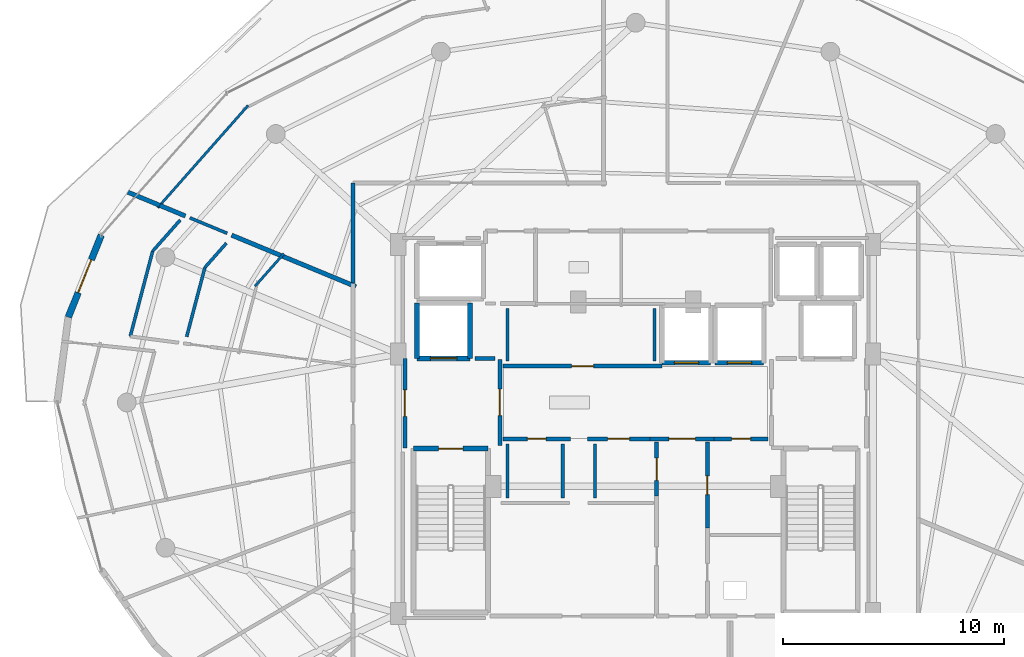
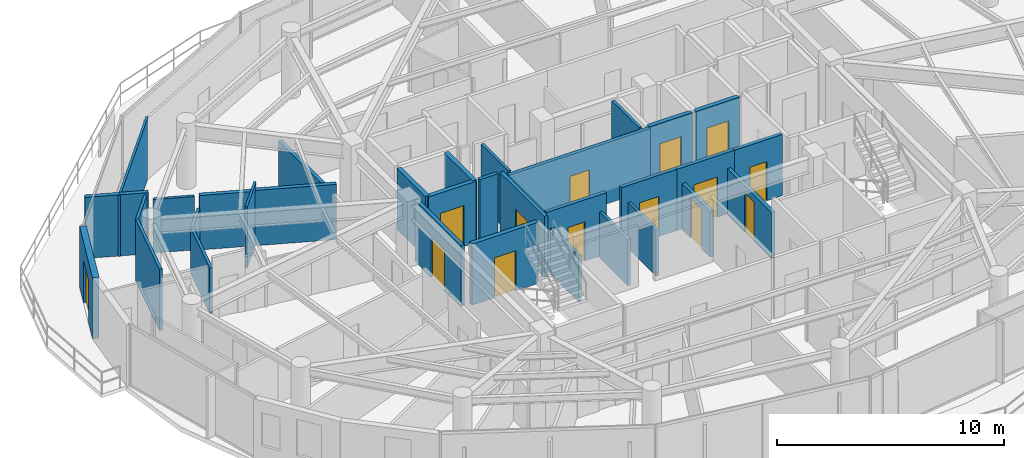
# One storey, part 23 of 30: 34 walls, 14 doors, 14 openings.
"""IFC4 building model written with IfcOpenShell, lengths in metres."""

import ifcopenshell
import ifcopenshell.guid

model = None  # the IFC model being written
_history = None  # IfcOwnerHistory: only IFC2X3 demands one
_inside = {}  # id of a spatial element -> (the spatial element, [elements in it])
_under = {}  # id of a project, library or spatial element -> (it, [spatial elements below it])
_declared = {}  # id of a project -> (the project, [libraries it declares])
_typed = {}  # id of a type object -> (the type object, [elements of that type])
_made_of = {}  # id of a material, layer set ... -> (it, [elements and type objects made of it])


def new_model(schema):
    """Start an empty IFC model of exactly this schema.

    Asked for "IFC4X3", IfcOpenShell would pick the latest addendum, in which some entities
    have other attributes; the version numbers below select the first issue.
    IFC2X3 requires an IfcOwnerHistory on every rooted entity: one is made here for all.
    """
    global model, _history
    if schema == "IFC4X3":
        model = ifcopenshell.file(schema_version=(4, 3, 0, 0))
    else:
        model = ifcopenshell.file(schema=schema)
    _inside.clear()
    _under.clear()
    _declared.clear()
    _typed.clear()
    _made_of.clear()
    _history = None
    if model.schema == "IFC2X3":
        org = make("IfcOrganization", Name="unknown")
        user = make(
            "IfcPersonAndOrganization",
            ThePerson=make("IfcPerson", FamilyName="unknown"),
            TheOrganization=org,
        )
        app = make(
            "IfcApplication",
            ApplicationDeveloper=org,
            Version="unknown",
            ApplicationFullName="unknown",
            ApplicationIdentifier="unknown",
        )
        _history = make(
            "IfcOwnerHistory",
            OwningUser=user,
            OwningApplication=app,
            ChangeAction="ADDED",
            CreationDate=0,
        )
    return model


def make(cls, **values):
    """One entity of the class cls with the attributes given. An attribute that is None is left unset."""
    return model.create_entity(
        cls, **{name: value for name, value in values.items() if value is not None}
    )


def rooted(cls, **values):
    """An entity with a GlobalId (a new one), such as an element, a storey or a relation."""
    return make(cls, GlobalId=ifcopenshell.guid.new(), OwnerHistory=_history, **values)


def si_unit(unit_type, name, prefix=None):
    """IfcSIUnit, for example si_unit("LENGTHUNIT", "METRE", prefix="MILLI")."""
    return make("IfcSIUnit", UnitType=unit_type, Prefix=prefix, Name=name)


def assignment(units):
    """IfcUnitAssignment: the units of a project."""
    return None if units is None else make("IfcUnitAssignment", Units=units)


def point(xyz):
    """IfcCartesianPoint."""
    return None if xyz is None else make("IfcCartesianPoint", Coordinates=xyz)


def direction(xyz):
    """IfcDirection."""
    return None if xyz is None else make("IfcDirection", DirectionRatios=xyz)


def frame(location, z_axis=None, x_axis=None):
    """IfcAxis2Placement3D, a coordinate frame: its origin and axes. An axis left out is left unset."""
    return make(
        "IfcAxis2Placement3D",
        Location=point(location),
        Axis=direction(z_axis),
        RefDirection=direction(x_axis),
    )


def frame_2d(location, x_axis=None):
    """IfcAxis2Placement2D, a coordinate frame in the plane: its origin and x axis."""
    return make(
        "IfcAxis2Placement2D", Location=point(location), RefDirection=direction(x_axis)
    )


def origin():
    """The frame at (0, 0, 0) with its axes left unset."""
    return frame((0.0, 0.0, 0.0))


def place(relative_to, where):
    """IfcLocalPlacement: puts the frame where relative to a parent placement (None: the world)."""
    return make(
        "IfcLocalPlacement", PlacementRelTo=relative_to, RelativePlacement=where
    )


def context(
    kind, dimensions, precision=None, world=None, true_north=None, identifier=None
):
    """IfcGeometricRepresentationContext, for example the 3D "Model" context."""
    return make(
        "IfcGeometricRepresentationContext",
        ContextIdentifier=identifier,
        ContextType=kind,
        CoordinateSpaceDimension=dimensions,
        Precision=precision,
        WorldCoordinateSystem=world,
        TrueNorth=true_north,
    )


def subcontext(parent, identifier, kind, view, scale=None):
    """IfcGeometricRepresentationSubContext, for example "Body" below "Model"."""
    return make(
        "IfcGeometricRepresentationSubContext",
        ContextIdentifier=identifier,
        ContextType=kind,
        ParentContext=parent,
        TargetScale=scale,
        TargetView=view,
    )


def project(units=None, contexts=None):
    """IfcProject with its units and contexts."""
    return rooted(
        "IfcProject",
        Name="project",
        RepresentationContexts=contexts,
        UnitsInContext=assignment(units),
    )


def spatial(cls, under=None, at=None, **own):
    """A site, building, storey or space (cls), placed at a placement, below another one or the project."""
    s = rooted(cls, ObjectPlacement=at, **own)
    if under is not None:
        _under.setdefault(under.id(), (under, []))[1].append(s)
    return s


def profile(cls, at=None, kind="AREA", **sizes):
    """A parametric profile (cls). Its sizes go by their IFC names, for example OverallWidth=200.0."""
    return make(cls, ProfileType=kind, Position=at, **sizes)


def rectangle(**sizes):
    """IfcRectangleProfileDef."""
    return profile("IfcRectangleProfileDef", **sizes)


def extrude(swept, where, along, depth):
    """IfcExtrudedAreaSolid: the profile swept, set in the frame where, extruded along a direction by depth."""
    return make(
        "IfcExtrudedAreaSolid",
        SweptArea=swept,
        Position=where,
        ExtrudedDirection=direction(along),
        Depth=depth,
    )


def shape(context_of_items, identifier, shape_type, items):
    """IfcShapeRepresentation: the items that make up one representation, for example the "Body"."""
    return make(
        "IfcShapeRepresentation",
        ContextOfItems=context_of_items,
        RepresentationIdentifier=identifier,
        RepresentationType=shape_type,
        Items=items,
    )


def material(Name=None, Category=None):
    """IfcMaterial."""
    return make("IfcMaterial", Name=Name, Category=Category)


def layer(
    of_material, thickness, ventilated=None, Name=None, Category=None, Priority=None
):
    """IfcMaterialLayer: one layer of a wall or slab, of a material (None: an air gap)."""
    return make(
        "IfcMaterialLayer",
        Material=of_material,
        LayerThickness=thickness,
        IsVentilated=ventilated,
        Name=Name,
        Category=Category,
        Priority=Priority,
    )


def layer_set(layers, Name=None):
    """IfcMaterialLayerSet."""
    return make("IfcMaterialLayerSet", MaterialLayers=layers, LayerSetName=Name)


def made_of(thing, what):
    """Note that an element or type object is made of a material, layer set ...; save() writes the relation."""
    if what is not None:
        _made_of.setdefault(what.id(), (what, []))[1].append(thing)
    return thing


def type_object(cls, material=None, **own):
    """A type object (cls), such as IfcWallType, which elements share."""
    return made_of(rooted(cls, **own), material)


def element(
    cls,
    number,
    at=None,
    inside=None,
    cuts=None,
    type_object=None,
    material=None,
    context=None,
    identifier="Body",
    shape_type=None,
    held_by="IfcProductDefinitionShape",
    body=None,
    shapes=None,
    **own,
):
    """One element of the class cls, such as IfcWall. Its Tag is "e" and its number.

    at: its placement. inside: the storey or other place that contains it. cuts: it is an
    opening in that element (IfcRelVoidsElement). A single representation is given by context,
    identifier, shape_type and body (its items); several are given by shapes. held_by: the class
    of the entity that holds the representations. save() writes the other relations.
    """
    e = rooted(cls, Tag="e%d" % number, ObjectPlacement=at, **own)
    if body is not None:
        shapes = [shape(context, identifier, shape_type, body)]
    if shapes is not None:
        e.Representation = make(held_by, Representations=shapes)
    if inside is not None:
        _inside.setdefault(inside.id(), (inside, []))[1].append(e)
    if cuts is not None:
        rooted(
            "IfcRelVoidsElement", RelatingBuildingElement=cuts, RelatedOpeningElement=e
        )
    if type_object is not None:
        _typed.setdefault(type_object.id(), (type_object, []))[1].append(e)
    return made_of(e, material)


def fill(opening, filler):
    """IfcRelFillsElement: the door or window that sits in an opening."""
    return rooted(
        "IfcRelFillsElement",
        RelatingOpeningElement=opening,
        RelatedBuildingElement=filler,
    )


def aggregate(whole, parts):
    """IfcRelAggregates: a whole, such as a stair, and the parts it consists of."""
    return rooted("IfcRelAggregates", RelatingObject=whole, RelatedObjects=parts)


def save(model, path):
    """Write the relations noted so far, then the file.

    IfcRelAggregates (storeys below a building ...), IfcRelContainedInSpatialStructure (elements
    in a storey), IfcRelDefinesByType, IfcRelAssociatesMaterial and IfcRelDeclares: one each for
    every whole, place, type object, material and project.
    """
    for whole, parts in _under.values():
        aggregate(whole, parts)
    for where, things in _inside.values():
        rooted(
            "IfcRelContainedInSpatialStructure",
            RelatedElements=things,
            RelatingStructure=where,
        )
    for kind, things in _typed.values():
        rooted("IfcRelDefinesByType", RelatedObjects=things, RelatingType=kind)
    for what, things in _made_of.values():
        rooted("IfcRelAssociatesMaterial", RelatedObjects=things, RelatingMaterial=what)
    for by, libraries in _declared.values():
        rooted("IfcRelDeclares", RelatingContext=by, RelatedDefinitions=libraries)
    model.write(path)


model = new_model("IFC4")

# Units and contexts
model_context = context("Model", 3, precision=1e-05, world=origin(), true_north=direction((0.0, 1.0)))
body_context = subcontext(model_context, "Body", "Model", "MODEL_VIEW")
ifc_project = project(units=[si_unit("LENGTHUNIT", "METRE"), si_unit("AREAUNIT", "SQUARE_METRE"), si_unit("VOLUMEUNIT", "CUBIC_METRE"), si_unit("PLANEANGLEUNIT", "RADIAN"), si_unit("MASSUNIT", "GRAM", prefix="KILO")], contexts=[model_context])

# Site, building, storey
site_placement = place(None, origin())
site = spatial("IfcSite", under=ifc_project, at=site_placement, CompositionType="ELEMENT")
building_placement = place(site_placement, origin())
building = spatial("IfcBuilding", under=site, at=building_placement, Name="Vorneva Point Tower", CompositionType="ELEMENT")
storey_placement = place(building_placement, frame((0.0, 0.0, 237.800048828125)))
storey = spatial("IfcBuildingStorey", under=building, at=storey_placement, Name="L64", CompositionType="ELEMENT", Elevation=237.800048828125)

# Wall, opening, door
ifc_material_1 = material(Name="Concrete B60 (C50/60)", Category="concrete")
ifc_layer_1 = layer(ifc_material_1, 0.35009765625)
ifc_layer_set_1 = layer_set([ifc_layer_1], Name="Concrete B60 (C50/60)")
wall_type_1 = type_object("IfcWallType", Name="WL-CORE-350", PredefinedType="SHEAR", material=ifc_layer_set_1)
wall_1_placement = place(storey_placement, frame((28.10009765625, 28.0, 0.0), z_axis=(0.0, 0.0, 1.0), x_axis=(1.0, 0.0, 0.0)))
wall_1 = element("IfcWall", 1, at=wall_1_placement, inside=storey, type_object=wall_type_1, Name="L64 Lift FFL1 Shaft Wall -Y", PredefinedType="SHEAR", context=body_context, shape_type="SweptSolid", body=[
    extrude(rectangle(XDim=2.39990234375, YDim=0.219970703125, at=frame_2d((1.199951171875, 0.0))), origin(), (0.0, 0.0, 1.0), 3.2900390625),
])
opening_1_placement = place(wall_1_placement, frame((0.60009765625, 0.0, 0.0)))
opening_1 = element("IfcOpeningElement", 2, at=opening_1_placement, cuts=wall_1, Name="Opening LD-02", PredefinedType="OPENING", context=body_context, shape_type="SweptSolid", body=[
    extrude(rectangle(XDim=1.199951171875, YDim=2.199951171875, at=frame_2d((0.60009765625, 1.10009765625))), frame((0.0, 0.125, 0.0), z_axis=(0.0, -1.0, 0.0), x_axis=(1.0, 0.0, 0.0)), (0.0, 0.0, 1.0), 0.249755859375),
])
ifc_material_2 = material(Name="Brushed stainless steel S304", Category="steel")
door_type_1 = type_object("IfcDoorType", Name="LD-FIRE-1200", OperationType="SLIDING_TO_LEFT", PredefinedType="DOOR", material=ifc_material_2)
door_1_placement = place(opening_1_placement, origin())
door_1 = element("IfcDoor", 3, at=door_1_placement, inside=storey, type_object=door_type_1, Name="L64 Lift FFL1 Sliding Landing Door", OperationType="SLIDING_TO_LEFT", OverallHeight=2.199951171875, OverallWidth=1.199951171875, PredefinedType="DOOR", context=body_context, shape_type="SweptSolid", body=[
    extrude(rectangle(XDim=1.199951171875, YDim=2.199951171875, at=frame_2d((0.60009765625, 1.10009765625))), frame((0.0, 0.02490234375, 0.0), z_axis=(0.0, -1.0, 0.0), x_axis=(1.0, 0.0, 0.0)), (0.0, 0.0, 1.0), 0.050048828125),
])
fill(opening_1, door_1)

# Walls
for number, where, z_axis, x_axis, name in (
    (4, (30.5, 28.0, 0.0), (0.0, 0.0, 1.0), (0.0, 1.0, 0.0), "L64 Lift FFL1 Shaft Wall +X"),
    (5, (28.10009765625, 30.5, 0.0), (0.0, 0.0, 1.0), (0.0, -1.0, 0.0), "L64 Lift FFL1 Shaft Wall -X"),
):
    element("IfcWall", number, at=place(storey_placement, frame(where, z_axis=z_axis, x_axis=x_axis)), inside=storey, type_object=wall_type_1, Name=name, PredefinedType="SHEAR", context=body_context, shape_type="SweptSolid", body=[
        extrude(rectangle(XDim=2.5, YDim=0.219970703125, at=frame_2d((1.25, 0.0))), origin(), (0.0, 0.0, 1.0), 3.2900390625),
    ])

# Wall, opening, door
ifc_material_3 = material(Name="Precast concrete B50 (C40/50)", Category="concrete")
ifc_layer_2 = layer(ifc_material_3, 0.300048828125)
ifc_layer_set_2 = layer_set([ifc_layer_2], Name="Precast concrete B50 (C40/50)")
wall_type_2 = type_object("IfcWallType", Name="WL-EXT-300", PredefinedType="STANDARD", material=ifc_layer_set_2)
wall_2_placement = place(storey_placement, frame((13.79443359375, 33.5810546875, 0.0), z_axis=(0.0, 0.0, 1.0), x_axis=(-0.37234708598, -0.928093555393, 0.0)))
wall_2 = element("IfcWall", 6, at=wall_2_placement, inside=storey, type_object=wall_type_2, Name="L64 Pale-Metal Facade Spandrel Wall 08.1", PredefinedType="STANDARD", context=body_context, shape_type="SweptSolid", body=[
    extrude(rectangle(XDim=4.004150390625, YDim=0.300048828125, at=frame_2d((2.001953125, 0.0))), origin(), (0.0, 0.0, 1.0), 3.2900390625),
])
opening_2_placement = place(wall_2_placement, frame((1.2021484375, 0.0, 0.0)))
opening_2 = element("IfcOpeningElement", 7, at=opening_2_placement, cuts=wall_2, Name="Opening BD-01", PredefinedType="OPENING", context=body_context, shape_type="SweptSolid", body=[
    extrude(rectangle(XDim=1.60009765625, YDim=2.300048828125, at=frame_2d((0.800048828125, 1.14990234375))), frame((0.0, 0.1650390625, 0.0), z_axis=(0.0, -1.0, 0.0), x_axis=(1.0, 0.0, 0.0)), (0.0, 0.0, 1.0), 0.329833984375),
])
ifc_material_4 = material(Name="Pale anodised aluminium", Category="aluminium")
door_type_2 = type_object("IfcDoorType", Name="DR-BAL-1600", OperationType="SLIDING_TO_LEFT", PredefinedType="DOOR", material=ifc_material_4)
door_2_placement = place(opening_2_placement, origin())
door_2 = element("IfcDoor", 8, at=door_2_placement, inside=storey, type_object=door_type_2, Name="L64 Balcony Terrace Access Door 08", OperationType="SLIDING_TO_LEFT", OverallHeight=2.300048828125, OverallWidth=1.60009765625, PredefinedType="DOOR", context=body_context, shape_type="SweptSolid", body=[
    extrude(rectangle(XDim=1.60009765625, YDim=2.300048828125, at=frame_2d((0.800048828125, 1.14990234375))), frame((0.0, 0.02490234375, 0.0), z_axis=(0.0, -1.0, 0.0), x_axis=(1.0, 0.0, 0.0)), (0.0, 0.0, 1.0), 0.050048828125),
])
fill(opening_2, door_2)

# Walls
ifc_material_5 = material(Name="Fire-rated acoustic gypsum stud partition", Category="gypsum")
ifc_layer_3 = layer(ifc_material_5, 0.110107421875)
ifc_layer_set_3 = layer_set([ifc_layer_3], Name="Fire-rated acoustic gypsum stud partition")
wall_type_3 = type_object("IfcWallType", Name="WL-PART-110", PredefinedType="PARTITIONING", material=ifc_layer_set_3)
wall_3_placement = place(storey_placement, frame((20.443603515625, 39.451904296875, 0.0), z_axis=(0.0, 0.0, 1.0), x_axis=(-0.662167862663, -0.749355537549, 0.0)))
element("IfcWall", 9, at=wall_3_placement, inside=storey, type_object=wall_type_3, Name="L64 Interior Partition 058", PredefinedType="PARTITIONING", context=body_context, shape_type="SweptSolid", body=[
    extrude(rectangle(XDim=6.17724609375, YDim=0.110107421875, at=frame_2d((3.088623046875, 0.0))), origin(), (0.0, 0.0, 1.0), 3.2900390625),
])
wall_4_placement = place(storey_placement, frame((20.76025390625, 31.26611328125, 0.0), z_axis=(0.0, 0.0, 1.0), x_axis=(0.662047420969, 0.749461948593, 0.0)))
element("IfcWall", 10, at=wall_4_placement, inside=storey, type_object=wall_type_3, Name="L64 Interior Partition 074", PredefinedType="PARTITIONING", context=body_context, shape_type="SweptSolid", body=[
    extrude(rectangle(XDim=1.9716796875, YDim=0.110107421875, at=frame_2d((0.98583984375, 0.0))), origin(), (0.0, 0.0, 1.0), 3.2900390625),
])
ifc_layer_4 = layer(ifc_material_5, 0.139892578125)
ifc_layer_set_4 = layer_set([ifc_layer_4], Name="Fire-rated acoustic gypsum stud partition")
wall_type_4 = type_object("IfcWallType", Name="WL-PART-140", PredefinedType="PARTITIONING", material=ifc_layer_set_4)
for number, where, z_axis, x_axis, name in (
    (11, (32.199951171875, 30.260009765625, 0.0), (0.0, 0.0, 1.0), (0.0, -1.0, 0.0), "L64 Interior Closure Partition 096"),
    (12, (38.85009765625, 27.8701171875, 0.0), (0.0, 0.0, 1.0), (0.0, 1.0, 0.0), "L64 Interior Closure Partition 097"),
):
    element("IfcWall", number, at=place(storey_placement, frame(where, z_axis=z_axis, x_axis=x_axis)), inside=storey, type_object=wall_type_4, Name=name, PredefinedType="PARTITIONING", context=body_context, shape_type="SweptSolid", body=[
        extrude(rectangle(XDim=2.389892578125, YDim=0.139892578125, at=frame_2d((1.19482421875, 0.0))), origin(), (0.0, 0.0, 1.0), 3.2900390625),
    ])
for number, where, z_axis, x_axis, name in (
    (13, (32.199951171875, 24.1298828125, 0.0), (0.0, 0.0, 1.0), (0.0, -1.0, 0.0), "L64 Interior Closure Partition 098"),
    (14, (34.699951171875, 21.669921875, 0.0), (0.0, 0.0, 1.0), (0.0, 1.0, 0.0), "L64 Interior Closure Partition 099"),
    (15, (36.14990234375, 24.1298828125, 0.0), (0.0, 0.0, 1.0), (0.0, -1.0, 0.0), "L64 Interior Closure Partition 100"),
):
    element("IfcWall", number, at=place(storey_placement, frame(where, z_axis=z_axis, x_axis=x_axis)), inside=storey, type_object=wall_type_4, Name=name, PredefinedType="PARTITIONING", context=body_context, shape_type="SweptSolid", body=[
        extrude(rectangle(XDim=2.4599609375, YDim=0.139892578125, at=frame_2d((1.22998046875, 0.0))), origin(), (0.0, 0.0, 1.0), 2.48193359375),
    ])
wall_5_placement = place(storey_placement, frame((17.81005859375, 34.363037109375, 0.0), z_axis=(0.0, 0.0, 1.0), x_axis=(0.923888322618, -0.382662210481, 0.0)))
element("IfcWall", 16, at=wall_5_placement, inside=storey, type_object=wall_type_4, Name="L64 Interior Closure Partition 116", PredefinedType="PARTITIONING", context=body_context, shape_type="SweptSolid", body=[
    extrude(rectangle(XDim=1.8291015625, YDim=0.139892578125, at=frame_2d((0.91455078125, 0.0))), origin(), (0.0, 0.0, 1.0), 2.8740234375),
])
wall_6_placement = place(storey_placement, frame((15.10791015625, 28.993896484375, 0.0), z_axis=(0.0, 0.0, 1.0), x_axis=(0.254393917139, 0.967100684997, 0.0)))
element("IfcWall", 17, at=wall_6_placement, inside=storey, type_object=wall_type_4, Name="L64 Interior Closure Partition 118", PredefinedType="PARTITIONING", context=body_context, shape_type="SweptSolid", body=[
    extrude(rectangle(XDim=3.990478515625, YDim=0.139892578125, at=frame_2d((1.9951171875, 0.0))), origin(), (0.0, 0.0, 1.0), 3.2900390625),
])
wall_7_placement = place(storey_placement, frame((16.123046875, 32.85302734375, 0.0), z_axis=(0.0, 0.0, 1.0), x_axis=(0.662302679983, 0.749236384652, 0.0)))
element("IfcWall", 18, at=wall_7_placement, inside=storey, type_object=wall_type_4, Name="L64 Interior Closure Partition 119", PredefinedType="PARTITIONING", context=body_context, shape_type="SweptSolid", body=[
    extrude(rectangle(XDim=1.884521484375, YDim=0.139892578125, at=frame_2d((0.9423828125, 0.0))), origin(), (0.0, 0.0, 1.0), 3.2900390625),
])
wall_8_placement = place(storey_placement, frame((19.4619140625, 33.215087890625, 0.0), z_axis=(0.0, 0.0, 1.0), x_axis=(-0.661857573224, -0.749629610385, 0.0)))
element("IfcWall", 19, at=wall_8_placement, inside=storey, type_object=wall_type_4, Name="L64 Interior Closure Partition 120", PredefinedType="PARTITIONING", context=body_context, shape_type="SweptSolid", body=[
    extrude(rectangle(XDim=1.471435546875, YDim=0.139892578125, at=frame_2d((0.73583984375, 0.0))), origin(), (0.0, 0.0, 1.0), 2.48193359375),
])
wall_9_placement = place(storey_placement, frame((18.488037109375, 32.112060546875, 0.0), z_axis=(0.0, 0.0, 1.0), x_axis=(-0.254626828673, -0.967039388091, 0.0)))
element("IfcWall", 20, at=wall_9_placement, inside=storey, type_object=wall_type_4, Name="L64 Interior Closure Partition 121", PredefinedType="PARTITIONING", context=body_context, shape_type="SweptSolid", body=[
    extrude(rectangle(XDim=3.23974609375, YDim=0.139892578125, at=frame_2d((1.619873046875, 0.0))), origin(), (0.0, 0.0, 1.0), 2.48193359375),
])

# Wall, opening, door
ifc_material_6 = material(Name="Autoclaved aerated concrete blockwork", Category="masonry")
ifc_layer_5 = layer(ifc_material_6, 0.179931640625)
ifc_layer_set_5 = layer_set([ifc_layer_5], Name="Autoclaved aerated concrete blockwork")
wall_type_5 = type_object("IfcWallType", Name="WL-PART-180", PredefinedType="PARTITIONING", material=ifc_layer_set_5)
wall_10_placement = place(storey_placement, frame((31.85009765625, 24.044921875, 0.0), z_axis=(0.0, 0.0, 1.0), x_axis=(0.0, 1.0, 0.0)))
wall_10 = element("IfcWall", 21, at=wall_10_placement, inside=storey, type_object=wall_type_5, Name="L64 Interior Partition 001", PredefinedType="PARTITIONING", context=body_context, shape_type="SweptSolid", body=[
    extrude(rectangle(XDim=3.91015625, YDim=0.179931640625, at=frame_2d((1.955078125, 0.0))), origin(), (0.0, 0.0, 1.0), 3.2900390625),
])
opening_3_placement = place(wall_10_placement, frame((1.35498046875, 0.0, 0.0)))
opening_3 = element("IfcOpeningElement", 22, at=opening_3_placement, cuts=wall_10, Name="Opening FD-02", PredefinedType="OPENING", context=body_context, shape_type="SweptSolid", body=[
    extrude(rectangle(XDim=1.199951171875, YDim=2.14990234375, at=frame_2d((0.60009765625, 1.074951171875))), frame((0.0, 0.10498046875, 0.0), z_axis=(0.0, -1.0, 0.0), x_axis=(1.0, 0.0, 0.0)), (0.0, 0.0, 1.0), 0.209716796875),
])
ifc_material_7 = material(Name="Fire-rated powder-coated steel", Category="steel")
door_type_3 = type_object("IfcDoorType", Name="DR-FFL-1200", OperationType="NOTDEFINED", PredefinedType="DOOR", material=ifc_material_7)
door_3_placement = place(opening_3_placement, origin())
door_3 = element("IfcDoor", 23, at=door_3_placement, inside=storey, type_object=door_type_3, Name="L64 Door West Firefighting Lobby / Central Lift Lobby", OperationType="SINGLE_SWING_LEFT", OverallHeight=2.14990234375, OverallWidth=1.199951171875, PredefinedType="DOOR", context=body_context, shape_type="SweptSolid", body=[
    extrude(rectangle(XDim=1.199951171875, YDim=2.14990234375, at=frame_2d((0.60009765625, 1.074951171875))), frame((0.0, 0.02490234375, 0.0), z_axis=(0.0, -1.0, 0.0), x_axis=(1.0, 0.0, 0.0)), (0.0, 0.0, 1.0), 0.050048828125),
])
fill(opening_3, door_3)

wall_11_placement = place(storey_placement, frame((27.550048828125, 28.0, 0.0), z_axis=(0.0, 0.0, 1.0), x_axis=(0.0, -1.0, 0.0)))
wall_11 = element("IfcWall", 24, at=wall_11_placement, inside=storey, type_object=wall_type_5, Name="L64 Interior Partition 002", PredefinedType="PARTITIONING", context=body_context, shape_type="SweptSolid", body=[
    extrude(rectangle(XDim=4.050048828125, YDim=0.179931640625, at=frame_2d((2.02490234375, 0.0))), origin(), (0.0, 0.0, 1.0), 3.2900390625),
])
opening_4_placement = place(wall_11_placement, frame((1.425048828125, 0.0, 0.0)))
opening_4 = element("IfcOpeningElement", 25, at=opening_4_placement, cuts=wall_11, Name="Opening FD-02", PredefinedType="OPENING", context=body_context, shape_type="SweptSolid", body=[
    extrude(rectangle(XDim=1.199951171875, YDim=2.14990234375, at=frame_2d((0.60009765625, 1.074951171875))), frame((0.0, 0.10498046875, 0.0), z_axis=(0.0, -1.0, 0.0), x_axis=(1.0, 0.0, 0.0)), (0.0, 0.0, 1.0), 0.209716796875),
])
door_4_placement = place(opening_4_placement, origin())
door_4 = element("IfcDoor", 26, at=door_4_placement, inside=storey, type_object=door_type_3, Name="L64 Door West Firefighting Lobby / L64 Circulation Corridor", OperationType="SINGLE_SWING_RIGHT", OverallHeight=2.14990234375, OverallWidth=1.199951171875, PredefinedType="DOOR", context=body_context, shape_type="SweptSolid", body=[
    extrude(rectangle(XDim=1.199951171875, YDim=2.14990234375, at=frame_2d((0.60009765625, 1.074951171875))), frame((0.0, 0.02490234375, 0.0), z_axis=(0.0, -1.0, 0.0), x_axis=(1.0, 0.0, 0.0)), (0.0, 0.0, 1.0), 0.050048828125),
])
fill(opening_4, door_4)

wall_12_placement = place(storey_placement, frame((38.64501953125, 24.35009765625, 0.0), z_axis=(0.0, 0.0, 1.0), x_axis=(1.0, 0.0, 0.0)))
wall_12 = element("IfcWall", 27, at=wall_12_placement, inside=storey, type_object=wall_type_5, Name="L64 Interior Partition 010", PredefinedType="PARTITIONING", context=body_context, shape_type="SweptSolid", body=[
    extrude(rectangle(XDim=2.909912109375, YDim=0.179931640625, at=frame_2d((1.455078125, 0.0))), origin(), (0.0, 0.0, 1.0), 3.2900390625),
])
opening_5_placement = place(wall_12_placement, frame((0.85498046875, 0.0, 0.0)))
opening_5 = element("IfcOpeningElement", 28, at=opening_5_placement, cuts=wall_12, Name="Opening FD-02", PredefinedType="OPENING", context=body_context, shape_type="SweptSolid", body=[
    extrude(rectangle(XDim=1.199951171875, YDim=2.14990234375, at=frame_2d((0.60009765625, 1.074951171875))), frame((0.0, 0.10498046875, 0.0), z_axis=(0.0, -1.0, 0.0), x_axis=(1.0, 0.0, 0.0)), (0.0, 0.0, 1.0), 0.209716796875),
])
door_5_placement = place(opening_5_placement, origin())
door_5 = element("IfcDoor", 29, at=door_5_placement, inside=storey, type_object=door_type_3, Name="L64 Door Central Lift Lobby / Core Service Lobby", OperationType="SINGLE_SWING_RIGHT", OverallHeight=2.14990234375, OverallWidth=1.199951171875, PredefinedType="DOOR", context=body_context, shape_type="SweptSolid", body=[
    extrude(rectangle(XDim=1.199951171875, YDim=2.14990234375, at=frame_2d((0.60009765625, 1.074951171875))), frame((0.0, 0.02490234375, 0.0), z_axis=(0.0, -1.0, 0.0), x_axis=(1.0, 0.0, 0.0)), (0.0, 0.0, 1.0), 0.050048828125),
])
fill(opening_5, door_5)

wall_13_placement = place(storey_placement, frame((41.554931640625, 24.35009765625, 0.0), z_axis=(0.0, 0.0, 1.0), x_axis=(1.0, 0.0, 0.0)))
wall_13 = element("IfcWall", 30, at=wall_13_placement, inside=storey, type_object=wall_type_5, Name="L64 Interior Partition 011", PredefinedType="PARTITIONING", context=body_context, shape_type="SweptSolid", body=[
    extrude(rectangle(XDim=2.445068359375, YDim=0.179931640625, at=frame_2d((1.22265625, 0.0))), origin(), (0.0, 0.0, 1.0), 3.2900390625),
])
opening_6_placement = place(wall_13_placement, frame((0.797607421875, 0.0, 0.0)))
opening_6 = element("IfcOpeningElement", 31, at=opening_6_placement, cuts=wall_13, Name="Opening ID-02", PredefinedType="OPENING", context=body_context, shape_type="SweptSolid", body=[
    extrude(rectangle(XDim=0.85009765625, YDim=2.10009765625, at=frame_2d((0.425048828125, 1.050048828125))), frame((0.0, 0.10498046875, 0.0), z_axis=(0.0, -1.0, 0.0), x_axis=(1.0, 0.0, 0.0)), (0.0, 0.0, 1.0), 0.209716796875),
])
ifc_material_8 = material(Name="Engineered oak fire-rated door leaf", Category="wood")
door_type_4 = type_object("IfcDoorType", Name="DR-BATH-850", OperationType="NOTDEFINED", PredefinedType="DOOR", material=ifc_material_8)
door_6_placement = place(opening_6_placement, origin())
door_6 = element("IfcDoor", 32, at=door_6_placement, inside=storey, type_object=door_type_4, Name="L64 Door Central Lift Lobby / Cleaners Store", OperationType="SINGLE_SWING_LEFT", OverallHeight=2.10009765625, OverallWidth=0.85009765625, PredefinedType="DOOR", context=body_context, shape_type="SweptSolid", body=[
    extrude(rectangle(XDim=0.85009765625, YDim=2.10009765625, at=frame_2d((0.425048828125, 1.050048828125))), frame((0.0, 0.02490234375, 0.0), z_axis=(0.0, -1.0, 0.0), x_axis=(1.0, 0.0, 0.0)), (0.0, 0.0, 1.0), 0.050048828125),
])
fill(opening_6, door_6)

wall_14_placement = place(storey_placement, frame((39.18994140625, 27.64990234375, 0.0), z_axis=(0.0, 0.0, 1.0), x_axis=(-1.0, 0.0, 0.0)))
wall_14 = element("IfcWall", 33, at=wall_14_placement, inside=storey, type_object=wall_type_5, Name="L64 Interior Partition 012", PredefinedType="PARTITIONING", context=body_context, shape_type="SweptSolid", body=[
    extrude(rectangle(XDim=7.18994140625, YDim=0.179931640625, at=frame_2d((3.594970703125, 0.0))), origin(), (0.0, 0.0, 1.0), 3.2900390625),
])
opening_7_placement = place(wall_14_placement, frame((3.094970703125, 0.0, 0.0)))
opening_7 = element("IfcOpeningElement", 34, at=opening_7_placement, cuts=wall_14, Name="Opening UD-01", PredefinedType="OPENING", context=body_context, shape_type="SweptSolid", body=[
    extrude(rectangle(XDim=1.0, YDim=2.14990234375, at=frame_2d((0.5, 1.074951171875))), frame((0.0, 0.10498046875, 0.0), z_axis=(0.0, -1.0, 0.0), x_axis=(1.0, 0.0, 0.0)), (0.0, 0.0, 1.0), 0.209716796875),
])
door_type_5 = type_object("IfcDoorType", Name="DR-UNIT-1000", OperationType="NOTDEFINED", PredefinedType="DOOR", material=ifc_material_8)
door_7_placement = place(opening_7_placement, origin())
door_7 = element("IfcDoor", 35, at=door_7_placement, inside=storey, type_object=door_type_5, Name="L64 Door Central Lift Lobby / Reclaimed Core Meeting Room", OperationType="SINGLE_SWING_RIGHT", OverallHeight=2.14990234375, OverallWidth=1.0, PredefinedType="DOOR", context=body_context, shape_type="SweptSolid", body=[
    extrude(rectangle(XDim=1.0, YDim=2.14990234375, at=frame_2d((0.5, 1.074951171875))), frame((0.0, 0.02490234375, 0.0), z_axis=(0.0, -1.0, 0.0), x_axis=(1.0, 0.0, 0.0)), (0.0, 0.0, 1.0), 0.050048828125),
])
fill(opening_7, door_7)

wall_15_placement = place(storey_placement, frame((32.0, 24.35009765625, 0.0), z_axis=(0.0, 0.0, 1.0), x_axis=(1.0, 0.0, 0.0)))
wall_15 = element("IfcWall", 36, at=wall_15_placement, inside=storey, type_object=wall_type_5, Name="L64 Interior Partition 013", PredefinedType="PARTITIONING", context=body_context, shape_type="SweptSolid", body=[
    extrude(rectangle(XDim=3.0400390625, YDim=0.179931640625, at=frame_2d((1.52001953125, 0.0))), origin(), (0.0, 0.0, 1.0), 3.2900390625),
])
opening_8_placement = place(wall_15_placement, frame((1.094970703125, 0.0, 0.0)))
opening_8 = element("IfcOpeningElement", 37, at=opening_8_placement, cuts=wall_15, Name="Opening ID-02", PredefinedType="OPENING", context=body_context, shape_type="SweptSolid", body=[
    extrude(rectangle(XDim=0.85009765625, YDim=2.10009765625, at=frame_2d((0.425048828125, 1.050048828125))), frame((0.0, 0.10498046875, 0.0), z_axis=(0.0, -1.0, 0.0), x_axis=(1.0, 0.0, 0.0)), (0.0, 0.0, 1.0), 0.209716796875),
])
door_8_placement = place(opening_8_placement, origin())
door_8 = element("IfcDoor", 38, at=door_8_placement, inside=storey, type_object=door_type_4, Name="L64 Door Central Lift Lobby / Reclaimed High-Zone Valet Room", OperationType="SINGLE_SWING_LEFT", OverallHeight=2.10009765625, OverallWidth=0.85009765625, PredefinedType="DOOR", context=body_context, shape_type="SweptSolid", body=[
    extrude(rectangle(XDim=0.85009765625, YDim=2.10009765625, at=frame_2d((0.425048828125, 1.050048828125))), frame((0.0, 0.02490234375, 0.0), z_axis=(0.0, -1.0, 0.0), x_axis=(1.0, 0.0, 0.0)), (0.0, 0.0, 1.0), 0.050048828125),
])
fill(opening_8, door_8)

wall_16_placement = place(storey_placement, frame((35.81005859375, 24.35009765625, 0.0), z_axis=(0.0, 0.0, 1.0), x_axis=(1.0, 0.0, 0.0)))
wall_16 = element("IfcWall", 39, at=wall_16_placement, inside=storey, type_object=wall_type_5, Name="L64 Interior Partition 014", PredefinedType="PARTITIONING", context=body_context, shape_type="SweptSolid", body=[
    extrude(rectangle(XDim=2.8349609375, YDim=0.179931640625, at=frame_2d((1.41748046875, 0.0))), origin(), (0.0, 0.0, 1.0), 3.2900390625),
])
opening_9_placement = place(wall_16_placement, frame((0.91748046875, 0.0, 0.0)))
opening_9 = element("IfcOpeningElement", 40, at=opening_9_placement, cuts=wall_16, Name="Opening UD-01", PredefinedType="OPENING", context=body_context, shape_type="SweptSolid", body=[
    extrude(rectangle(XDim=1.0, YDim=2.14990234375, at=frame_2d((0.5, 1.074951171875))), frame((0.0, 0.10498046875, 0.0), z_axis=(0.0, -1.0, 0.0), x_axis=(1.0, 0.0, 0.0)), (0.0, 0.0, 1.0), 0.209716796875),
])
door_9_placement = place(opening_9_placement, origin())
door_9 = element("IfcDoor", 41, at=door_9_placement, inside=storey, type_object=door_type_5, Name="L64 Door Central Lift Lobby / Reclaimed High-Zone Tasting Room", OperationType="SINGLE_SWING_RIGHT", OverallHeight=2.14990234375, OverallWidth=1.0, PredefinedType="DOOR", context=body_context, shape_type="SweptSolid", body=[
    extrude(rectangle(XDim=1.0, YDim=2.14990234375, at=frame_2d((0.5, 1.074951171875))), frame((0.0, 0.02490234375, 0.0), z_axis=(0.0, -1.0, 0.0), x_axis=(1.0, 0.0, 0.0)), (0.0, 0.0, 1.0), 0.050048828125),
])
fill(opening_9, door_9)

wall_17_placement = place(storey_placement, frame((41.25, 20.304931640625, 0.0), z_axis=(0.0, 0.0, 1.0), x_axis=(0.0, 1.0, 0.0)))
wall_17 = element("IfcWall", 42, at=wall_17_placement, inside=storey, type_object=wall_type_5, Name="L64 Interior Partition 016", PredefinedType="PARTITIONING", context=body_context, shape_type="SweptSolid", body=[
    extrude(rectangle(XDim=3.89501953125, YDim=0.179931640625, at=frame_2d((1.947509765625, 0.0))), origin(), (0.0, 0.0, 1.0), 2.48193359375),
])
opening_10_placement = place(wall_17_placement, frame((1.5224609375, 0.0, 0.0)))
opening_10 = element("IfcOpeningElement", 43, at=opening_10_placement, cuts=wall_17, Name="Opening ID-02", PredefinedType="OPENING", context=body_context, shape_type="SweptSolid", body=[
    extrude(rectangle(XDim=0.85009765625, YDim=2.10009765625, at=frame_2d((0.425048828125, 1.050048828125))), frame((0.0, 0.10498046875, 0.0), z_axis=(0.0, -1.0, 0.0), x_axis=(1.0, 0.0, 0.0)), (0.0, 0.0, 1.0), 0.209716796875),
])
door_10_placement = place(opening_10_placement, origin())
door_10 = element("IfcDoor", 44, at=door_10_placement, inside=storey, type_object=door_type_4, Name="L64 Door Core Service Lobby / Cleaners Store", OperationType="SINGLE_SWING_RIGHT", OverallHeight=2.10009765625, OverallWidth=0.85009765625, PredefinedType="DOOR", context=body_context, shape_type="SweptSolid", body=[
    extrude(rectangle(XDim=0.85009765625, YDim=2.10009765625, at=frame_2d((0.425048828125, 1.050048828125))), frame((0.0, 0.02490234375, 0.0), z_axis=(0.0, -1.0, 0.0), x_axis=(1.0, 0.0, 0.0)), (0.0, 0.0, 1.0), 0.050048828125),
])
fill(opening_10, door_10)

wall_18_placement = place(storey_placement, frame((38.949951171875, 24.199951171875, 0.0), z_axis=(0.0, 0.0, 1.0), x_axis=(0.0, -1.0, 0.0)))
wall_18 = element("IfcWall", 45, at=wall_18_placement, inside=storey, type_object=wall_type_5, Name="L64 Interior Partition 018", PredefinedType="PARTITIONING", context=body_context, shape_type="SweptSolid", body=[
    extrude(rectangle(XDim=2.445068359375, YDim=0.179931640625, at=frame_2d((1.22265625, 0.0))), origin(), (0.0, 0.0, 1.0), 2.48193359375),
])
opening_11_placement = place(wall_18_placement, frame((0.722412109375, 0.0, 0.0)))
opening_11 = element("IfcOpeningElement", 46, at=opening_11_placement, cuts=wall_18, Name="Opening UD-01", PredefinedType="OPENING", context=body_context, shape_type="SweptSolid", body=[
    extrude(rectangle(XDim=1.0, YDim=2.14990234375, at=frame_2d((0.5, 1.074951171875))), frame((0.0, 0.10498046875, 0.0), z_axis=(0.0, -1.0, 0.0), x_axis=(1.0, 0.0, 0.0)), (0.0, 0.0, 1.0), 0.209716796875),
])
door_11_placement = place(opening_11_placement, origin())
door_11 = element("IfcDoor", 47, at=door_11_placement, inside=storey, type_object=door_type_5, Name="L64 Door Core Service Lobby / Reclaimed High-Zone Tasting Room", OperationType="SINGLE_SWING_RIGHT", OverallHeight=2.14990234375, OverallWidth=1.0, PredefinedType="DOOR", context=body_context, shape_type="SweptSolid", body=[
    extrude(rectangle(XDim=1.0, YDim=2.14990234375, at=frame_2d((0.5, 1.074951171875))), frame((0.0, 0.02490234375, 0.0), z_axis=(0.0, -1.0, 0.0), x_axis=(1.0, 0.0, 0.0)), (0.0, 0.0, 1.0), 0.050048828125),
])
fill(opening_11, door_11)

# Walls
wall_19_placement = place(storey_placement, frame((25.199951171875, 35.949951171875, 0.0), z_axis=(0.0, 0.0, 1.0), x_axis=(0.0, -1.0, 0.0)))
element("IfcWall", 48, at=wall_19_placement, inside=storey, type_object=wall_type_5, Name="L64 Interior Partition 034", PredefinedType="PARTITIONING", context=body_context, shape_type="SweptSolid", body=[
    extrude(rectangle(XDim=4.7080078125, YDim=0.179931640625, at=frame_2d((2.35400390625, 0.0))), origin(), (0.0, 0.0, 1.0), 2.48193359375),
])
wall_20_placement = place(storey_placement, frame((31.635009765625, 28.0, 0.0), z_axis=(0.0, 0.0, 1.0), x_axis=(-1.0, 0.0, 0.0)))
element("IfcWall", 49, at=wall_20_placement, inside=storey, type_object=wall_type_5, Name="L64 Interior Closure Partition 091", PredefinedType="PARTITIONING", context=body_context, shape_type="SweptSolid", body=[
    extrude(rectangle(XDim=0.9150390625, YDim=0.179931640625, at=frame_2d((0.45751953125, 0.0))), origin(), (0.0, 0.0, 1.0), 3.2900390625),
])
ifc_layer_6 = layer(ifc_material_6, 0.199951171875)
ifc_layer_set_6 = layer_set([ifc_layer_6], Name="Autoclaved aerated concrete blockwork")
wall_type_6 = type_object("IfcWallType", Name="WL-PART-200", PredefinedType="PARTITIONING", material=ifc_layer_set_6)
wall_21_placement = place(storey_placement, frame((16.446044921875, 34.927978515625, 0.0), z_axis=(0.0, 0.0, 1.0), x_axis=(0.923851056351, -0.382752172663, 0.0)))
element("IfcWall", 50, at=wall_21_placement, inside=storey, type_object=wall_type_6, Name="L64 Interior Partition 060", PredefinedType="PARTITIONING", context=body_context, shape_type="SweptSolid", body=[
    extrude(rectangle(XDim=1.256591796875, YDim=0.199951171875, at=frame_2d((0.62841796875, 0.0))), origin(), (0.0, 0.0, 1.0), 3.2900390625),
])
wall_22_placement = place(storey_placement, frame((19.702880859375, 33.5791015625, 0.0), z_axis=(0.0, 0.0, 1.0), x_axis=(0.923878502515, -0.382685918986, 0.0)))
element("IfcWall", 51, at=wall_22_placement, inside=storey, type_object=wall_type_6, Name="L64 Interior Partition 061", PredefinedType="PARTITIONING", context=body_context, shape_type="SweptSolid", body=[
    extrude(rectangle(XDim=2.516845703125, YDim=0.199951171875, at=frame_2d((1.25830078125, 0.0))), origin(), (0.0, 0.0, 1.0), 2.924072265625),
])
wall_23_placement = place(storey_placement, frame((21.898681640625, 32.66943359375, 0.0), z_axis=(0.0, 0.0, 1.0), x_axis=(0.9238685833, -0.382709865029, 0.0)))
element("IfcWall", 52, at=wall_23_placement, inside=storey, type_object=wall_type_6, Name="L64 Interior Partition 062", PredefinedType="PARTITIONING", context=body_context, shape_type="SweptSolid", body=[
    extrude(rectangle(XDim=3.71337890625, YDim=0.199951171875, at=frame_2d((1.856689453125, 0.0))), origin(), (0.0, 0.0, 1.0), 2.971923828125),
])
wall_24_placement = place(storey_placement, frame((15.003662109375, 35.525634765625, 0.0), z_axis=(0.0, 0.0, 1.0), x_axis=(0.923843638485, -0.382770076719, 0.0)))
element("IfcWall", 53, at=wall_24_placement, inside=storey, type_object=wall_type_6, Name="L64 Interior Partition 063", PredefinedType="PARTITIONING", context=body_context, shape_type="SweptSolid", body=[
    extrude(rectangle(XDim=1.701171875, YDim=0.199951171875, at=frame_2d((0.8505859375, 0.0))), origin(), (0.0, 0.0, 1.0), 3.2900390625),
])

# Wall, opening, door
ifc_material_9 = material(Name="Concrete B50 (C40/50)", Category="concrete")
ifc_layer_7 = layer(ifc_material_9, 0.219970703125)
ifc_layer_set_7 = layer_set([ifc_layer_7], Name="Concrete B50 (C40/50)")
wall_type_7 = type_object("IfcWallType", Name="WL-SHFT-220", PredefinedType="SOLIDWALL", material=ifc_layer_set_7)
wall_25_placement = place(storey_placement, frame((27.93994140625, 23.909912109375, 0.0), z_axis=(0.0, 0.0, 1.0), x_axis=(1.0, 0.0, 0.0)))
wall_25 = element("IfcWall", 54, at=wall_25_placement, inside=storey, type_object=wall_type_7, Name="L64 Exit Stair ST1 Shaft Wall near", PredefinedType="SOLIDWALL", context=body_context, shape_type="SweptSolid", body=[
    extrude(rectangle(XDim=3.3701171875, YDim=0.219970703125, at=frame_2d((1.68505859375, 0.0))), origin(), (0.0, 0.0, 1.0), 3.2900390625),
])
opening_12_placement = place(wall_25_placement, frame((1.135009765625, 0.0, 0.0)))
opening_12 = element("IfcOpeningElement", 55, at=opening_12_placement, cuts=wall_25, Name="Opening FD-01", PredefinedType="OPENING", context=body_context, shape_type="SweptSolid", body=[
    extrude(rectangle(XDim=1.10009765625, YDim=2.14990234375, at=frame_2d((0.550048828125, 1.074951171875))), frame((0.0, 0.125, 0.0), z_axis=(0.0, -1.0, 0.0), x_axis=(1.0, 0.0, 0.0)), (0.0, 0.0, 1.0), 0.249755859375),
])
door_type_6 = type_object("IfcDoorType", Name="DR-STAIR-1100", OperationType="NOTDEFINED", PredefinedType="DOOR", material=ifc_material_7)
door_12_placement = place(opening_12_placement, origin())
door_12 = element("IfcDoor", 56, at=door_12_placement, inside=storey, type_object=door_type_6, Name="L64 Exit Stair ST1 Fire Door", OperationType="SINGLE_SWING_RIGHT", OverallHeight=2.14990234375, OverallWidth=1.10009765625, PredefinedType="DOOR", context=body_context, shape_type="SweptSolid", body=[
    extrude(rectangle(XDim=1.10009765625, YDim=2.14990234375, at=frame_2d((0.550048828125, 1.074951171875))), frame((0.0, 0.02490234375, 0.0), z_axis=(0.0, -1.0, 0.0), x_axis=(1.0, 0.0, 0.0)), (0.0, 0.0, 1.0), 0.050048828125),
])
fill(opening_12, door_12)

wall_26_placement = place(storey_placement, frame((39.199951171875, 27.800048828125, 0.0), z_axis=(0.0, 0.0, 1.0), x_axis=(1.0, 0.0, 0.0)))
wall_26 = element("IfcWall", 57, at=wall_26_placement, inside=storey, type_object=wall_type_7, Name="L64 Lift PL7 Shaft Wall -Y", PredefinedType="SOLIDWALL", context=body_context, shape_type="SweptSolid", body=[
    extrude(rectangle(XDim=2.199951171875, YDim=0.219970703125, at=frame_2d((1.10009765625, 0.0))), origin(), (0.0, 0.0, 1.0), 3.2900390625),
])
opening_13_placement = place(wall_26_placement, frame((0.550048828125, 0.0, 0.0)))
opening_13 = element("IfcOpeningElement", 58, at=opening_13_placement, cuts=wall_26, Name="Opening LD-01", PredefinedType="OPENING", context=body_context, shape_type="SweptSolid", body=[
    extrude(rectangle(XDim=1.10009765625, YDim=2.199951171875, at=frame_2d((0.550048828125, 1.10009765625))), frame((0.0, 0.125, 0.0), z_axis=(0.0, -1.0, 0.0), x_axis=(1.0, 0.0, 0.0)), (0.0, 0.0, 1.0), 0.249755859375),
])
door_type_7 = type_object("IfcDoorType", Name="LD-PASS-1100", OperationType="SLIDING_TO_LEFT", PredefinedType="DOOR", material=ifc_material_2)
door_13_placement = place(opening_13_placement, origin())
door_13 = element("IfcDoor", 59, at=door_13_placement, inside=storey, type_object=door_type_7, Name="L64 Lift PL7 Sliding Landing Door", OperationType="SLIDING_TO_LEFT", OverallHeight=2.199951171875, OverallWidth=1.10009765625, PredefinedType="DOOR", context=body_context, shape_type="SweptSolid", body=[
    extrude(rectangle(XDim=1.10009765625, YDim=2.199951171875, at=frame_2d((0.550048828125, 1.10009765625))), frame((0.0, 0.02490234375, 0.0), z_axis=(0.0, -1.0, 0.0), x_axis=(1.0, 0.0, 0.0)), (0.0, 0.0, 1.0), 0.050048828125),
])
fill(opening_13, door_13)

wall_27_placement = place(storey_placement, frame((41.60009765625, 27.800048828125, 0.0), z_axis=(0.0, 0.0, 1.0), x_axis=(1.0, 0.0, 0.0)))
wall_27 = element("IfcWall", 60, at=wall_27_placement, inside=storey, type_object=wall_type_7, Name="L64 Lift PL8 Shaft Wall -Y", PredefinedType="SOLIDWALL", context=body_context, shape_type="SweptSolid", body=[
    extrude(rectangle(XDim=2.199951171875, YDim=0.219970703125, at=frame_2d((1.10009765625, 0.0))), origin(), (0.0, 0.0, 1.0), 3.2900390625),
])
opening_14_placement = place(wall_27_placement, frame((0.550048828125, 0.0, 0.0)))
opening_14 = element("IfcOpeningElement", 61, at=opening_14_placement, cuts=wall_27, Name="Opening LD-01", PredefinedType="OPENING", context=body_context, shape_type="SweptSolid", body=[
    extrude(rectangle(XDim=1.10009765625, YDim=2.199951171875, at=frame_2d((0.550048828125, 1.10009765625))), frame((0.0, 0.125, 0.0), z_axis=(0.0, -1.0, 0.0), x_axis=(1.0, 0.0, 0.0)), (0.0, 0.0, 1.0), 0.249755859375),
])
door_14_placement = place(opening_14_placement, origin())
door_14 = element("IfcDoor", 62, at=door_14_placement, inside=storey, type_object=door_type_7, Name="L64 Lift PL8 Sliding Landing Door", OperationType="SLIDING_TO_LEFT", OverallHeight=2.199951171875, OverallWidth=1.10009765625, PredefinedType="DOOR", context=body_context, shape_type="SweptSolid", body=[
    extrude(rectangle(XDim=1.10009765625, YDim=2.199951171875, at=frame_2d((0.550048828125, 1.10009765625))), frame((0.0, 0.02490234375, 0.0), z_axis=(0.0, -1.0, 0.0), x_axis=(1.0, 0.0, 0.0)), (0.0, 0.0, 1.0), 0.050048828125),
])
fill(opening_14, door_14)

save(model, "model.ifc")
